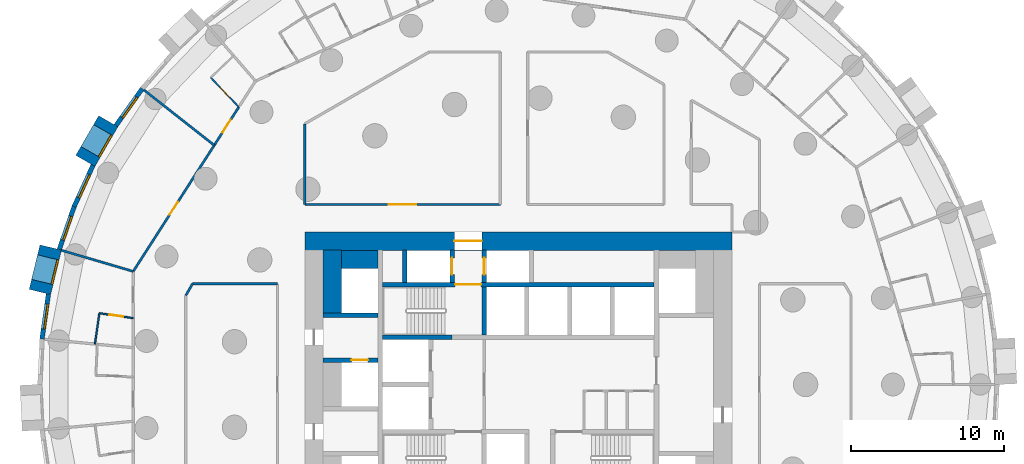
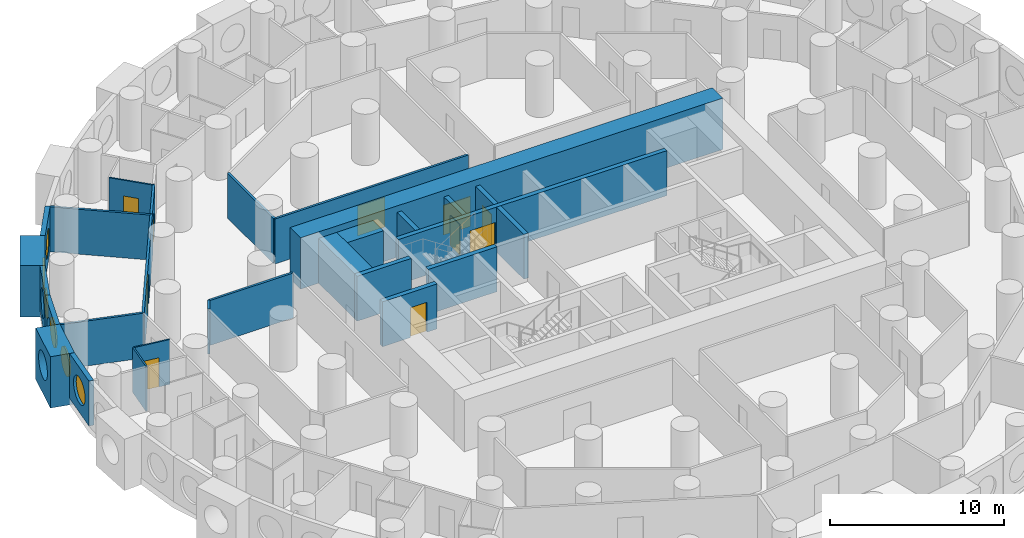
# One storey, part 7 of 12: 27 walls, 10 doors, 6 windows, 16 openings.
"""IFC4 building model written with IfcOpenShell, lengths in metres."""

from ifc_helpers import new_model, si_unit, direction, frame, frame_2d, origin, origin_2d, place, context, subcontext, project, spatial, rectangle, circle, extrude, material, layer, layer_set, type_object, element, fill, save


model = new_model("IFC4")

# Units and contexts
model_context = context("Model", 3, precision=1e-05, world=origin(), true_north=direction((0.0, 1.0)))
body_context = subcontext(model_context, "Body", "Model", "MODEL_VIEW")
ifc_project = project(units=[si_unit("LENGTHUNIT", "METRE"), si_unit("AREAUNIT", "SQUARE_METRE"), si_unit("VOLUMEUNIT", "CUBIC_METRE"), si_unit("PLANEANGLEUNIT", "RADIAN"), si_unit("MASSUNIT", "GRAM", prefix="KILO")], contexts=[model_context])

# Site, building, storey
site_placement = place(None, origin())
site = spatial("IfcSite", under=ifc_project, at=site_placement, CompositionType="ELEMENT")
building_placement = place(site_placement, origin())
building = spatial("IfcBuilding", under=site, at=building_placement, Name="Tracery Tower", CompositionType="ELEMENT")
storey_placement = place(building_placement, frame((0.0, 0.0, 31.800048828125)))
storey = spatial("IfcBuildingStorey", under=building, at=storey_placement, Name="L06", CompositionType="ELEMENT", Elevation=31.800048828125)

# Walls
ifc_material_1 = material(Name="Concrete C60/75", Category="concrete")
ifc_layer_1 = layer(ifc_material_1, 1.199951171875)
ifc_layer_set_1 = layer_set([ifc_layer_1], Name="Core strip wall 1200 C60")
wall_type_1 = type_object("IfcWallType", Name="Core strip wall 1200 C60", PredefinedType="SOLIDWALL", material=ifc_layer_set_1)
wall_1_placement = place(storey_placement, frame((-12.199951171875, 4.699951171875, 0.0), z_axis=(0.0, 0.0, 1.0), x_axis=(0.0, 1.0, 0.0)))
element("IfcWall", 1, at=wall_1_placement, inside=storey, type_object=wall_type_1, Name="L06 wing strip -1 4.55", PredefinedType="SOLIDWALL", context=body_context, shape_type="SweptSolid", body=[
    extrude(rectangle(XDim=4.10009765625, YDim=1.199951171875, at=frame_2d((2.050048828125, 0.0))), origin(), (0.0, 0.0, 1.0), 3.14990234375),
])
wall_2_placement = place(storey_placement, frame((-11.60009765625, 8.199951171875, 0.0), z_axis=(0.0, 0.0, 1.0), x_axis=(1.0, 0.0, 0.0)))
element("IfcWall", 2, at=wall_2_placement, inside=storey, type_object=wall_type_1, Name="L06 wing corner -1 +8.2", PredefinedType="SOLIDWALL", context=body_context, shape_type="SweptSolid", body=[
    extrude(rectangle(XDim=2.400146484375, YDim=1.199951171875, at=frame_2d((1.2001953125, 0.0))), origin(), (0.0, 0.0, 1.0), 3.14990234375),
])

# Wall, opening, door
ifc_material_2 = material(Name="Concrete C60/75", Category="concrete")
ifc_layer_2 = layer(ifc_material_2, 1.199951171875)
ifc_layer_set_2 = layer_set([ifc_layer_2], Name="Core wall 1200 C60")
wall_type_2 = type_object("IfcWallType", Name="Core wall 1200 C60", PredefinedType="SOLIDWALL", material=ifc_layer_set_2)
wall_3_placement = place(storey_placement, frame((-14.0, 9.39990234375, 0.0), z_axis=(0.0, 0.0, 1.0), x_axis=(1.0, 0.0, 0.0)))
wall_3 = element("IfcWall", 3, at=wall_3_placement, inside=storey, type_object=wall_type_2, Name="L06 outer N", PredefinedType="SOLIDWALL", context=body_context, shape_type="SweptSolid", body=[
    extrude(rectangle(XDim=28.0, YDim=1.199951171875, at=frame_2d((14.0, 0.0))), origin(), (0.0, 0.0, 1.0), 3.599853515625),
])
opening_1_placement = place(wall_3_placement, frame((9.800048828125, 0.0, 0.0)))
opening_1 = element("IfcOpeningElement", 4, at=opening_1_placement, cuts=wall_3, Name="Opening KD13", PredefinedType="OPENING", context=body_context, shape_type="SweptSolid", body=[
    extrude(rectangle(XDim=1.800048828125, YDim=2.10009765625, at=frame_2d((0.89990234375, 1.050048828125))), frame((0.0, 0.60009765625, 0.0), z_axis=(0.0, -1.0, 0.0), x_axis=(1.0, 0.0, 0.0)), (0.0, 0.0, 1.0), 1.199951171875),
])
ifc_material_3 = material(Name="Steel fire door", Category="steel")
door_type_1 = type_object("IfcDoorType", Name="Core exit door 1800 double", OperationType="NOTDEFINED", PredefinedType="DOOR", material=ifc_material_3)
door_1_placement = place(opening_1_placement, origin())
door_1 = element("IfcDoor", 5, at=door_1_placement, inside=storey, type_object=door_type_1, Name="Core exit door", OperationType="DOUBLE_DOOR_SINGLE_SWING", OverallHeight=2.10009765625, OverallWidth=1.800048828125, PredefinedType="DOOR", context=body_context, shape_type="SweptSolid", body=[
    extrude(rectangle(XDim=1.800048828125, YDim=2.10009765625, at=frame_2d((0.89990234375, 1.050048828125))), frame((0.0, 0.02490234375, 0.0), z_axis=(0.0, -1.0, 0.0), x_axis=(1.0, 0.0, 0.0)), (0.0, 0.0, 1.0), 0.050048828125),
])
fill(opening_1, door_1)

# Wall, opening, window
ifc_material_4 = material(Name="Precast concrete C50/60", Category="concrete")
ifc_layer_3 = layer(ifc_material_4, 1.449951171875)
ifc_layer_set_3 = layer_set([ifc_layer_3], Name="Deep-set bay unit 3000 x 3600, slab edge 450")
wall_type_3 = type_object("IfcWallType", Name="Deep-set bay unit 3000 x 3600, slab edge 450", PredefinedType="ELEMENTEDWALL", material=ifc_layer_set_3)
wall_4_placement = place(storey_placement, frame((-26.88818359375, 17.256103515625, -0.449951171875), z_axis=(0.0, 0.0, 1.0), x_axis=(-0.499990139034, -0.866031096941, 0.0)))
wall_4 = element("IfcWall", 6, at=wall_4_placement, inside=storey, type_object=wall_type_3, Name="Deep-set bay unit 28 at L06", PredefinedType="ELEMENTEDWALL", context=body_context, shape_type="SweptSolid", body=[
    extrude(rectangle(XDim=3.0, YDim=1.449951171875, at=frame_2d((1.5, 0.0))), origin(), (0.0, 0.0, 1.0), 3.599853515625),
])
opening_2_placement = place(wall_4_placement, frame((1.5, 0.0, 2.0)))
opening_2 = element("IfcOpeningElement", 7, at=opening_2_placement, cuts=wall_4, Name="Opening WN1", PredefinedType="OPENING", context=body_context, shape_type="SweptSolid", body=[
    extrude(circle(Radius=0.9000244140625, at=origin_2d()), frame((0.0, 0.73486328125, 0.0), z_axis=(0.0, -1.0, 0.0), x_axis=(1.0, 0.0, 0.0)), (0.0, 0.0, 1.0), 1.469970703125),
])
ifc_material_5 = material(Name="Aluminium frame with tinted double glazing", Category="aluminium")
window_type = type_object("IfcWindowType", Name="Round window 1800", PartitioningType="SINGLE_PANEL", PredefinedType="WINDOW", material=ifc_material_5)
window_1_placement = place(opening_2_placement, origin())
window_1 = element("IfcWindow", 8, at=window_1_placement, inside=storey, type_object=window_type, Name="Round window 28 at L06", OverallHeight=1.800048828125, OverallWidth=1.800048828125, PartitioningType="SINGLE_PANEL", PredefinedType="WINDOW", context=body_context, shape_type="SweptSolid", body=[
    extrude(circle(Radius=0.9000244140625, at=origin_2d()), frame((0.0, 0.69482421875, 0.0), z_axis=(0.0, -1.0, 0.0), x_axis=(1.0, 0.0, 0.0)), (0.0, 0.0, 1.0), 0.10009765625),
])
fill(opening_2, window_1)

wall_5_placement = place(storey_placement, frame((-30.66064453125, 8.981689453125, -0.449951171875), z_axis=(0.0, 0.0, 1.0), x_axis=(-0.235751415068, -0.971813392732, 0.0)))
wall_5 = element("IfcWall", 9, at=wall_5_placement, inside=storey, type_object=wall_type_3, Name="Deep-set bay unit 31 at L06", PredefinedType="ELEMENTEDWALL", context=body_context, shape_type="SweptSolid", body=[
    extrude(rectangle(XDim=3.0, YDim=1.449951171875, at=frame_2d((1.5, 0.0))), origin(), (0.0, 0.0, 1.0), 3.599853515625),
])
opening_3_placement = place(wall_5_placement, frame((1.5, 0.0, 2.0)))
opening_3 = element("IfcOpeningElement", 10, at=opening_3_placement, cuts=wall_5, Name="Opening WN1", PredefinedType="OPENING", context=body_context, shape_type="SweptSolid", body=[
    extrude(circle(Radius=0.9000244140625, at=origin_2d()), frame((0.0, 0.73486328125, 0.0), z_axis=(0.0, -1.0, 0.0), x_axis=(1.0, 0.0, 0.0)), (0.0, 0.0, 1.0), 1.469970703125),
])
window_2_placement = place(opening_3_placement, origin())
window_2 = element("IfcWindow", 11, at=window_2_placement, inside=storey, type_object=window_type, Name="Round window 31 at L06", OverallHeight=1.800048828125, OverallWidth=1.800048828125, PartitioningType="SINGLE_PANEL", PredefinedType="WINDOW", context=body_context, shape_type="SweptSolid", body=[
    extrude(circle(Radius=0.9000244140625, at=origin_2d()), frame((0.0, 0.69482421875, 0.0), z_axis=(0.0, -1.0, 0.0), x_axis=(1.0, 0.0, 0.0)), (0.0, 0.0, 1.0), 0.10009765625),
])
fill(opening_3, window_2)

ifc_material_6 = material(Name="Precast concrete C50/60", Category="concrete")
ifc_layer_4 = layer(ifc_material_6, 0.300048828125)
ifc_layer_set_4 = layer_set([ifc_layer_4], Name="Facade panel 3000 x 3150")
wall_type_4 = type_object("IfcWallType", Name="Facade panel 3000 x 3150", PredefinedType="SOLIDWALL", material=ifc_layer_set_4)
wall_6_placement = place(storey_placement, frame((-24.661865234375, 19.394287109375, 0.0), z_axis=(0.0, 0.0, 1.0), x_axis=(-0.580113774115, -0.814535456, 0.0)))
wall_6 = element("IfcWall", 12, at=wall_6_placement, inside=storey, type_object=wall_type_4, Name="Facade panel 27 at L06", PredefinedType="SOLIDWALL", context=body_context, shape_type="SweptSolid", body=[
    extrude(rectangle(XDim=2.979736328125, YDim=0.300048828125, at=frame_2d((1.48974609375, 0.0))), origin(), (0.0, 0.0, 1.0), 3.14990234375),
])
opening_4_placement = place(wall_6_placement, frame((1.48974609375, 0.0, 1.5498046875)))
opening_4 = element("IfcOpeningElement", 13, at=opening_4_placement, cuts=wall_6, Name="Opening WN1", PredefinedType="OPENING", context=body_context, shape_type="SweptSolid", body=[
    extrude(circle(Radius=0.9000244140625, at=origin_2d()), frame((0.0, 0.159912109375, 0.0), z_axis=(0.0, -1.0, 0.0), x_axis=(1.0, 0.0, 0.0)), (0.0, 0.0, 1.0), 0.320068359375),
])
window_3_placement = place(opening_4_placement, origin())
window_3 = element("IfcWindow", 14, at=window_3_placement, inside=storey, type_object=window_type, Name="Round window 27 at L06", OverallHeight=1.800048828125, OverallWidth=1.800048828125, PartitioningType="SINGLE_PANEL", PredefinedType="WINDOW", context=body_context, shape_type="SweptSolid", body=[
    extrude(circle(Radius=0.9000244140625, at=origin_2d()), frame((0.0, 0.1201171875, 0.0), z_axis=(0.0, -1.0, 0.0), x_axis=(1.0, 0.0, 0.0)), (0.0, 0.0, 1.0), 0.10009765625),
])
fill(opening_4, window_3)

wall_7_placement = place(storey_placement, frame((-27.88916015625, 14.37109375, 0.0), z_axis=(0.0, 0.0, 1.0), x_axis=(-0.415407317162, -0.909635509888, 0.0)))
wall_7 = element("IfcWall", 15, at=wall_7_placement, inside=storey, type_object=wall_type_4, Name="Facade panel 29 at L06", PredefinedType="SOLIDWALL", context=body_context, shape_type="SweptSolid", body=[
    extrude(rectangle(XDim=2.979736328125, YDim=0.300048828125, at=frame_2d((1.48974609375, 0.0))), origin(), (0.0, 0.0, 1.0), 3.14990234375),
])
opening_5_placement = place(wall_7_placement, frame((1.48974609375, 0.0, 1.5498046875)))
opening_5 = element("IfcOpeningElement", 16, at=opening_5_placement, cuts=wall_7, Name="Opening WN1", PredefinedType="OPENING", context=body_context, shape_type="SweptSolid", body=[
    extrude(circle(Radius=0.9000244140625, at=origin_2d()), frame((0.0, 0.159912109375, 0.0), z_axis=(0.0, -1.0, 0.0), x_axis=(1.0, 0.0, 0.0)), (0.0, 0.0, 1.0), 0.320068359375),
])
window_4_placement = place(opening_5_placement, origin())
window_4 = element("IfcWindow", 17, at=window_4_placement, inside=storey, type_object=window_type, Name="Round window 29 at L06", OverallHeight=1.800048828125, OverallWidth=1.800048828125, PartitioningType="SINGLE_PANEL", PredefinedType="WINDOW", context=body_context, shape_type="SweptSolid", body=[
    extrude(circle(Radius=0.9000244140625, at=origin_2d()), frame((0.0, 0.1201171875, 0.0), z_axis=(0.0, -1.0, 0.0), x_axis=(1.0, 0.0, 0.0)), (0.0, 0.0, 1.0), 0.10009765625),
])
fill(opening_5, window_4)

wall_8_placement = place(storey_placement, frame((-29.126953125, 11.66064453125, 0.0), z_axis=(0.0, 0.0, 1.0), x_axis=(-0.327096492592, -0.944990944154, 0.0)))
wall_8 = element("IfcWall", 18, at=wall_8_placement, inside=storey, type_object=wall_type_4, Name="Facade panel 30 at L06", PredefinedType="SOLIDWALL", context=body_context, shape_type="SweptSolid", body=[
    extrude(rectangle(XDim=2.9794921875, YDim=0.300048828125, at=frame_2d((1.48974609375, 0.0))), origin(), (0.0, 0.0, 1.0), 3.14990234375),
])
opening_6_placement = place(wall_8_placement, frame((1.48974609375, 0.0, 1.5498046875)))
opening_6 = element("IfcOpeningElement", 19, at=opening_6_placement, cuts=wall_8, Name="Opening WN1", PredefinedType="OPENING", context=body_context, shape_type="SweptSolid", body=[
    extrude(circle(Radius=0.9000244140625, at=origin_2d()), frame((0.0, 0.159912109375, 0.0), z_axis=(0.0, -1.0, 0.0), x_axis=(1.0, 0.0, 0.0)), (0.0, 0.0, 1.0), 0.320068359375),
])
window_5_placement = place(opening_6_placement, origin())
window_5 = element("IfcWindow", 20, at=window_5_placement, inside=storey, type_object=window_type, Name="Round window 30 at L06", OverallHeight=1.800048828125, OverallWidth=1.800048828125, PartitioningType="SINGLE_PANEL", PredefinedType="WINDOW", context=body_context, shape_type="SweptSolid", body=[
    extrude(circle(Radius=0.9000244140625, at=origin_2d()), frame((0.0, 0.1201171875, 0.0), z_axis=(0.0, -1.0, 0.0), x_axis=(1.0, 0.0, 0.0)), (0.0, 0.0, 1.0), 0.10009765625),
])
fill(opening_6, window_5)

wall_9_placement = place(storey_placement, frame((-30.808349609375, 5.931640625, 0.0), z_axis=(0.0, 0.0, 1.0), x_axis=(-0.142327539111, -0.989819615693, 0.0)))
wall_9 = element("IfcWall", 21, at=wall_9_placement, inside=storey, type_object=wall_type_4, Name="Facade panel 32 at L06", PredefinedType="SOLIDWALL", context=body_context, shape_type="SweptSolid", body=[
    extrude(rectangle(XDim=2.9794921875, YDim=0.300048828125, at=frame_2d((1.48974609375, 0.0))), origin(), (0.0, 0.0, 1.0), 3.14990234375),
])
opening_7_placement = place(wall_9_placement, frame((1.48974609375, 0.0, 1.5498046875)))
opening_7 = element("IfcOpeningElement", 22, at=opening_7_placement, cuts=wall_9, Name="Opening WN1", PredefinedType="OPENING", context=body_context, shape_type="SweptSolid", body=[
    extrude(circle(Radius=0.9000244140625, at=origin_2d()), frame((0.0, 0.159912109375, 0.0), z_axis=(0.0, -1.0, 0.0), x_axis=(1.0, 0.0, 0.0)), (0.0, 0.0, 1.0), 0.320068359375),
])
window_6_placement = place(opening_7_placement, origin())
window_6 = element("IfcWindow", 23, at=window_6_placement, inside=storey, type_object=window_type, Name="Round window 32 at L06", OverallHeight=1.800048828125, OverallWidth=1.800048828125, PartitioningType="SINGLE_PANEL", PredefinedType="WINDOW", context=body_context, shape_type="SweptSolid", body=[
    extrude(circle(Radius=0.9000244140625, at=origin_2d()), frame((0.0, 0.1201171875, 0.0), z_axis=(0.0, -1.0, 0.0), x_axis=(1.0, 0.0, 0.0)), (0.0, 0.0, 1.0), 0.10009765625),
])
fill(opening_7, window_6)

# Wall, opening, door
ifc_material_7 = material(Name="Plasterboard on steel studs", Category="steel")
ifc_layer_5 = layer(ifc_material_7, 0.10009765625)
ifc_layer_set_5 = layer_set([ifc_layer_5], Name="Partition 100 wet wall")
wall_type_5 = type_object("IfcWallType", Name="Partition 100 wet wall", PredefinedType="PARTITIONING", material=ifc_layer_set_5)
wall_10_placement = place(storey_placement, frame((-20.1689453125, 20.117919921875, 0.0), z_axis=(0.0, 0.0, 1.0), x_axis=(0.690011756227, -0.723798159896, 0.0)))
wall_10 = element("IfcWall", 24, at=wall_10_placement, inside=storey, type_object=wall_type_5, Name="Wet wall RA1-091", PredefinedType="PARTITIONING", context=body_context, shape_type="SweptSolid", body=[
    extrude(rectangle(XDim=2.66650390625, YDim=0.10009765625, at=frame_2d((1.333251953125, 0.0))), origin(), (0.0, 0.0, 1.0), 3.14990234375),
])
opening_8_placement = place(wall_10_placement, frame((0.883056640625, 0.0, 0.0)))
opening_8 = element("IfcOpeningElement", 25, at=opening_8_placement, cuts=wall_10, Name="Opening RA1-30", PredefinedType="OPENING", context=body_context, shape_type="SweptSolid", body=[
    extrude(rectangle(XDim=0.89990234375, YDim=2.0400390625, at=frame_2d((0.449951171875, 1.02001953125))), frame((0.0, 0.050048828125, 0.0), z_axis=(0.0, -1.0, 0.0), x_axis=(1.0, 0.0, 0.0)), (0.0, 0.0, 1.0), 0.10009765625),
])
ifc_material_8 = material(Name="Timber door leaf", Category="wood")
door_type_2 = type_object("IfcDoorType", Name="Door en-suite 900", OperationType="NOTDEFINED", PredefinedType="DOOR", material=ifc_material_8)
door_2_placement = place(opening_8_placement, origin())
door_2 = element("IfcDoor", 26, at=door_2_placement, inside=storey, type_object=door_type_2, Name="En-suite door RA1-30", OperationType="SINGLE_SWING_LEFT", OverallHeight=2.0400390625, OverallWidth=0.89990234375, PredefinedType="DOOR", context=body_context, shape_type="SweptSolid", body=[
    extrude(rectangle(XDim=0.89990234375, YDim=2.0400390625, at=frame_2d((0.449951171875, 1.02001953125))), frame((0.0, 0.02490234375, 0.0), z_axis=(0.0, -1.0, 0.0), x_axis=(1.0, 0.0, 0.0)), (0.0, 0.0, 1.0), 0.050048828125),
])
fill(opening_8, door_2)

wall_11_placement = place(storey_placement, frame((-27.471923828125, 4.6708984375, 0.0), z_axis=(0.0, 0.0, 1.0), x_axis=(0.989833725002, -0.142229381104, 0.0)))
wall_11 = element("IfcWall", 27, at=wall_11_placement, inside=storey, type_object=wall_type_5, Name="Wet wall RA1-094", PredefinedType="PARTITIONING", context=body_context, shape_type="SweptSolid", body=[
    extrude(rectangle(XDim=2.24169921875, YDim=0.10009765625, at=frame_2d((1.120849609375, 0.0))), origin(), (0.0, 0.0, 1.0), 3.14990234375),
])
opening_9_placement = place(wall_11_placement, frame((0.6708984375, 0.0, 0.0)))
opening_9 = element("IfcOpeningElement", 28, at=opening_9_placement, cuts=wall_11, Name="Opening RA1-33", PredefinedType="OPENING", context=body_context, shape_type="SweptSolid", body=[
    extrude(rectangle(XDim=0.89990234375, YDim=2.0400390625, at=frame_2d((0.449951171875, 1.02001953125))), frame((0.0, 0.050048828125, 0.0), z_axis=(0.0, -1.0, 0.0), x_axis=(1.0, 0.0, 0.0)), (0.0, 0.0, 1.0), 0.10009765625),
])
door_3_placement = place(opening_9_placement, origin())
door_3 = element("IfcDoor", 29, at=door_3_placement, inside=storey, type_object=door_type_2, Name="En-suite door RA1-33", OperationType="SINGLE_SWING_RIGHT", OverallHeight=2.0400390625, OverallWidth=0.89990234375, PredefinedType="DOOR", context=body_context, shape_type="SweptSolid", body=[
    extrude(rectangle(XDim=0.89990234375, YDim=2.0400390625, at=frame_2d((0.449951171875, 1.02001953125))), frame((0.0, 0.02490234375, 0.0), z_axis=(0.0, -1.0, 0.0), x_axis=(1.0, 0.0, 0.0)), (0.0, 0.0, 1.0), 0.050048828125),
])
fill(opening_9, door_3)

# Walls
wall_12_placement = place(storey_placement, frame((-27.761962890625, 2.65087890625, 0.0), z_axis=(0.0, 0.0, 1.0), x_axis=(0.142124766346, 0.989848751472, 0.0)))
element("IfcWall", 30, at=wall_12_placement, inside=storey, type_object=wall_type_5, Name="Wet wall RA1-095", PredefinedType="PARTITIONING", context=body_context, shape_type="SweptSolid", body=[
    extrude(rectangle(XDim=2.040771484375, YDim=0.10009765625, at=frame_2d((1.0205078125, 0.0))), origin(), (0.0, 0.0, 1.0), 3.14990234375),
])
ifc_material_9 = material(Name="Plasterboard on steel studs", Category="steel")
ifc_layer_6 = layer(ifc_material_9, 0.14990234375)
ifc_layer_set_6 = layer_set([ifc_layer_6], Name="Partition 150 acoustic unit wall")
wall_type_6 = type_object("IfcWallType", Name="Partition 150 acoustic unit wall", PredefinedType="PARTITIONING", material=ifc_layer_set_6)
wall_13_placement = place(storey_placement, frame((-24.5439453125, 19.302001953125, 0.0), z_axis=(0.0, 0.0, 1.0), x_axis=(0.786014513829, -0.618208042693, 0.0)))
element("IfcWall", 31, at=wall_13_placement, inside=storey, type_object=wall_type_6, Name="Unit wall RA1-092", PredefinedType="PARTITIONING", context=body_context, shape_type="SweptSolid", body=[
    extrude(rectangle(XDim=5.857421875, YDim=0.14990234375, at=frame_2d((2.9287109375, 0.0))), origin(), (0.0, 0.0, 1.0), 3.14990234375),
])
wall_14_placement = place(storey_placement, frame((-29.958984375, 8.797119140625, 0.0), z_axis=(0.0, 0.0, 1.0), x_axis=(0.959478767209, -0.281780934902, 0.0)))
element("IfcWall", 32, at=wall_14_placement, inside=storey, type_object=wall_type_6, Name="Unit wall RA1-093", PredefinedType="PARTITIONING", context=body_context, shape_type="SweptSolid", body=[
    extrude(rectangle(XDim=4.90478515625, YDim=0.14990234375, at=frame_2d((2.452392578125, 0.0))), origin(), (0.0, 0.0, 1.0), 3.14990234375),
])

# Wall, opening, door
ifc_material_10 = material(Name="Plasterboard on steel studs", Category="steel")
ifc_layer_7 = layer(ifc_material_10, 0.14990234375)
ifc_layer_set_7 = layer_set([ifc_layer_7], Name="Partition 150 corridor wall")
wall_type_7 = type_object("IfcWallType", Name="Partition 150 corridor wall", PredefinedType="PARTITIONING", material=ifc_layer_set_7)
wall_15_placement = place(storey_placement, frame((-14.00390625, 11.800048828125, 0.0), z_axis=(0.0, 0.0, 1.0), x_axis=(1.0, 0.0, 0.0)))
wall_15 = element("IfcWall", 33, at=wall_15_placement, inside=storey, type_object=wall_type_7, Name="Corridor wall RA1-001", PredefinedType="PARTITIONING", context=body_context, shape_type="SweptSolid", body=[
    extrude(rectangle(XDim=12.81591796875, YDim=0.14990234375, at=frame_2d((6.407958984375, 0.0))), origin(), (0.0, 0.0, 1.0), 3.14990234375),
])
opening_10_placement = place(wall_15_placement, frame((5.508056640625, 0.0, 0.0)))
opening_10 = element("IfcOpeningElement", 34, at=opening_10_placement, cuts=wall_15, Name="Opening RA1-01", PredefinedType="OPENING", context=body_context, shape_type="SweptSolid", body=[
    extrude(rectangle(XDim=1.800048828125, YDim=2.10009765625, at=frame_2d((0.89990234375, 1.050048828125))), frame((0.0, 0.074951171875, 0.0), z_axis=(0.0, -1.0, 0.0), x_axis=(1.0, 0.0, 0.0)), (0.0, 0.0, 1.0), 0.14990234375),
])
ifc_material_11 = material(Name="Timber door leaf", Category="wood")
door_type_3 = type_object("IfcDoorType", Name="Door double lounge 1800", OperationType="NOTDEFINED", PredefinedType="DOOR", material=ifc_material_11)
door_4_placement = place(opening_10_placement, origin())
door_4 = element("IfcDoor", 35, at=door_4_placement, inside=storey, type_object=door_type_3, Name="Double lounge door RA1-01", OperationType="DOUBLE_DOOR_SINGLE_SWING", OverallHeight=2.10009765625, OverallWidth=1.800048828125, PredefinedType="DOOR", context=body_context, shape_type="SweptSolid", body=[
    extrude(rectangle(XDim=1.800048828125, YDim=2.10009765625, at=frame_2d((0.89990234375, 1.050048828125))), frame((0.0, 0.02490234375, 0.0), z_axis=(0.0, -1.0, 0.0), x_axis=(1.0, 0.0, 0.0)), (0.0, 0.0, 1.0), 0.050048828125),
])
fill(opening_10, door_4)

# Walls
wall_16_placement = place(storey_placement, frame((-14.0, 11.800048828125, 0.0), z_axis=(0.0, 0.0, 1.0), x_axis=(0.0, 1.0, 0.0)))
element("IfcWall", 36, at=wall_16_placement, inside=storey, type_object=wall_type_7, Name="Corridor wall RA1-027", PredefinedType="PARTITIONING", context=body_context, shape_type="SweptSolid", body=[
    extrude(rectangle(XDim=5.2919921875, YDim=0.14990234375, at=frame_2d((2.64599609375, 0.0))), origin(), (0.0, 0.0, 1.0), 3.14990234375),
])
wall_17_placement = place(storey_placement, frame((-21.364013671875, 6.60009765625, 0.0), z_axis=(0.0, 0.0, 1.0), x_axis=(1.0, 0.0, 0.0)))
element("IfcWall", 37, at=wall_17_placement, inside=storey, type_object=wall_type_7, Name="Corridor wall RA1-038", PredefinedType="PARTITIONING", context=body_context, shape_type="SweptSolid", body=[
    extrude(rectangle(XDim=5.56396484375, YDim=0.14990234375, at=frame_2d((2.781982421875, 0.0))), origin(), (0.0, 0.0, 1.0), 3.14990234375),
])
wall_18_placement = place(storey_placement, frame((-21.802001953125, 5.842041015625, 0.0), z_axis=(0.0, 0.0, 1.0), x_axis=(0.500277597875, 0.865865073245, 0.0)))
element("IfcWall", 38, at=wall_18_placement, inside=storey, type_object=wall_type_7, Name="Corridor wall RA1-039", PredefinedType="PARTITIONING", context=body_context, shape_type="SweptSolid", body=[
    extrude(rectangle(XDim=0.87548828125, YDim=0.14990234375, at=frame_2d((0.437744140625, 0.0))), origin(), (0.0, 0.0, 1.0), 3.14990234375),
])

# Wall, openings, doors
wall_19_placement = place(storey_placement, frame((-25.2509765625, 7.413818359375, 0.0), z_axis=(0.0, 0.0, 1.0), x_axis=(0.540498462047, 0.84134500208, 0.0)))
wall_19 = element("IfcWall", 39, at=wall_19_placement, inside=storey, type_object=wall_type_7, Name="Corridor wall RA1-043", PredefinedType="PARTITIONING", context=body_context, shape_type="SweptSolid", body=[
    extrude(rectangle(XDim=12.810546875, YDim=0.14990234375, at=frame_2d((6.4052734375, 0.0))), origin(), (0.0, 0.0, 1.0), 3.14990234375),
])
opening_11_placement = place(wall_19_placement, frame((10.816650390625, 0.0, 0.0)))
opening_11 = element("IfcOpeningElement", 40, at=opening_11_placement, cuts=wall_19, Name="Opening RA1-31", PredefinedType="OPENING", context=body_context, shape_type="SweptSolid", body=[
    extrude(rectangle(XDim=1.0, YDim=2.10009765625, at=frame_2d((0.5, 1.050048828125))), frame((0.0, 0.074951171875, 0.0), z_axis=(0.0, -1.0, 0.0), x_axis=(1.0, 0.0, 0.0)), (0.0, 0.0, 1.0), 0.14990234375),
])
opening_12_placement = place(wall_19_placement, frame((4.4150390625, 0.0, 0.0)))
opening_12 = element("IfcOpeningElement", 41, at=opening_12_placement, cuts=wall_19, Name="Opening RA1-32", PredefinedType="OPENING", context=body_context, shape_type="SweptSolid", body=[
    extrude(rectangle(XDim=1.0, YDim=2.0400390625, at=frame_2d((0.5, 1.02001953125))), frame((0.0, 0.074951171875, 0.0), z_axis=(0.0, -1.0, 0.0), x_axis=(1.0, 0.0, 0.0)), (0.0, 0.0, 1.0), 0.14990234375),
])
ifc_material_12 = material(Name="Timber door leaf", Category="wood")
door_type_4 = type_object("IfcDoorType", Name="Door communal room 1000", OperationType="NOTDEFINED", PredefinedType="DOOR", material=ifc_material_12)
door_5_placement = place(opening_12_placement, origin())
door_5 = element("IfcDoor", 42, at=door_5_placement, inside=storey, type_object=door_type_4, Name="Communal room door RA1-32", OperationType="SINGLE_SWING_RIGHT", OverallHeight=2.0400390625, OverallWidth=1.0, PredefinedType="DOOR", context=body_context, shape_type="SweptSolid", body=[
    extrude(rectangle(XDim=1.0, YDim=2.0400390625, at=frame_2d((0.5, 1.02001953125))), frame((0.0, 0.02490234375, 0.0), z_axis=(0.0, -1.0, 0.0), x_axis=(1.0, 0.0, 0.0)), (0.0, 0.0, 1.0), 0.050048828125),
])
fill(opening_12, door_5)
ifc_material_13 = material(Name="Timber door leaf", Category="wood")
door_type_5 = type_object("IfcDoorType", Name="Door unit entrance 1000", OperationType="NOTDEFINED", PredefinedType="DOOR", material=ifc_material_13)
door_6_placement = place(opening_11_placement, origin())
door_6 = element("IfcDoor", 43, at=door_6_placement, inside=storey, type_object=door_type_5, Name="Unit entrance door RA1-31", OperationType="SINGLE_SWING_LEFT", OverallHeight=2.10009765625, OverallWidth=1.0, PredefinedType="DOOR", context=body_context, shape_type="SweptSolid", body=[
    extrude(rectangle(XDim=1.0, YDim=2.10009765625, at=frame_2d((0.5, 1.050048828125))), frame((0.0, 0.02490234375, 0.0), z_axis=(0.0, -1.0, 0.0), x_axis=(1.0, 0.0, 0.0)), (0.0, 0.0, 1.0), 0.050048828125),
])
fill(opening_11, door_6)

# Wall
ifc_material_14 = material(Name="Concrete C60/75", Category="concrete")
ifc_layer_8 = layer(ifc_material_14, 0.300048828125)
ifc_layer_set_8 = layer_set([ifc_layer_8], Name="Shaft wall 300 C60")
wall_type_8 = type_object("IfcWallType", Name="Shaft wall 300 C60", PredefinedType="SOLIDWALL", material=ifc_layer_set_8)
wall_20_placement = place(storey_placement, frame((-7.449951171875, 6.699951171875, 0.0), z_axis=(0.0, 0.0, 1.0), x_axis=(0.0, 1.0, 0.0)))
element("IfcWall", 44, at=wall_20_placement, inside=storey, type_object=wall_type_8, Name="L06 LR sep -7.45", PredefinedType="SOLIDWALL", context=body_context, shape_type="SweptSolid", body=[
    extrude(rectangle(XDim=2.10009765625, YDim=0.300048828125, at=frame_2d((1.050048828125, 0.0))), origin(), (0.0, 0.0, 1.0), 3.14990234375),
])

# Wall, opening, door
wall_21_placement = place(storey_placement, frame((-4.35009765625, 6.699951171875, 0.0), z_axis=(0.0, 0.0, 1.0), x_axis=(0.0, 1.0, 0.0)))
wall_21 = element("IfcWall", 45, at=wall_21_placement, inside=storey, type_object=wall_type_8, Name="L06 LR sep -4.35", PredefinedType="SOLIDWALL", context=body_context, shape_type="SweptSolid", body=[
    extrude(rectangle(XDim=2.10009765625, YDim=0.300048828125, at=frame_2d((1.050048828125, 0.0))), origin(), (0.0, 0.0, 1.0), 3.14990234375),
])
opening_13_placement = place(wall_21_placement, frame((0.5, 0.0, 0.0)))
opening_13 = element("IfcOpeningElement", 46, at=opening_13_placement, cuts=wall_21, Name="Opening KD50", PredefinedType="OPENING", context=body_context, shape_type="SweptSolid", body=[
    extrude(rectangle(XDim=1.10009765625, YDim=2.10009765625, at=frame_2d((0.550048828125, 1.050048828125))), frame((0.0, 0.14990234375, 0.0), z_axis=(0.0, -1.0, 0.0), x_axis=(1.0, 0.0, 0.0)), (0.0, 0.0, 1.0), 0.300048828125),
])
ifc_material_15 = material(Name="Steel fire door", Category="steel")
door_type_6 = type_object("IfcDoorType", Name="Landing door 1100", OperationType="NOTDEFINED", PredefinedType="DOOR", material=ifc_material_15)
door_7_placement = place(opening_13_placement, origin())
door_7 = element("IfcDoor", 47, at=door_7_placement, inside=storey, type_object=door_type_6, Name="Landing door LR3", OperationType="SLIDING_TO_RIGHT", OverallHeight=2.10009765625, OverallWidth=1.10009765625, PredefinedType="DOOR", context=body_context, shape_type="SweptSolid", body=[
    extrude(rectangle(XDim=1.10009765625, YDim=2.10009765625, at=frame_2d((0.550048828125, 1.050048828125))), frame((0.0, 0.02490234375, 0.0), z_axis=(0.0, -1.0, 0.0), x_axis=(1.0, 0.0, 0.0)), (0.0, 0.0, 1.0), 0.050048828125),
])
fill(opening_13, door_7)

# Wall
wall_22_placement = place(storey_placement, frame((-12.800048828125, 4.550048828125, 0.0), z_axis=(0.0, 0.0, 1.0), x_axis=(1.0, 0.0, 0.0)))
element("IfcWall", 48, at=wall_22_placement, inside=storey, type_object=wall_type_8, Name="L06 wing shaft wall -1 +4.55", PredefinedType="SOLIDWALL", context=body_context, shape_type="SweptSolid", body=[
    extrude(rectangle(XDim=3.60009765625, YDim=0.300048828125, at=frame_2d((1.800048828125, 0.0))), origin(), (0.0, 0.0, 1.0), 3.14990234375),
])

# Wall, opening, door
wall_23_placement = place(storey_placement, frame((-12.800048828125, 1.60009765625, 0.0), z_axis=(0.0, 0.0, 1.0), x_axis=(1.0, 0.0, 0.0)))
wall_23 = element("IfcWall", 49, at=wall_23_placement, inside=storey, type_object=wall_type_8, Name="L06 wing shaft wall -1 +1.60", PredefinedType="SOLIDWALL", context=body_context, shape_type="SweptSolid", body=[
    extrude(rectangle(XDim=3.60009765625, YDim=0.300048828125, at=frame_2d((1.800048828125, 0.0))), origin(), (0.0, 0.0, 1.0), 3.14990234375),
])
opening_14_placement = place(wall_23_placement, frame((1.85009765625, 0.0, 0.0)))
opening_14 = element("IfcOpeningElement", 50, at=opening_14_placement, cuts=wall_23, Name="Opening KD50", PredefinedType="OPENING", context=body_context, shape_type="SweptSolid", body=[
    extrude(rectangle(XDim=1.10009765625, YDim=2.10009765625, at=frame_2d((0.550048828125, 1.050048828125))), frame((0.0, 0.14990234375, 0.0), z_axis=(0.0, -1.0, 0.0), x_axis=(1.0, 0.0, 0.0)), (0.0, 0.0, 1.0), 0.300048828125),
])
door_8_placement = place(opening_14_placement, origin())
door_8 = element("IfcDoor", 51, at=door_8_placement, inside=storey, type_object=door_type_6, Name="Landing door LR1", OperationType="SLIDING_TO_RIGHT", OverallHeight=2.10009765625, OverallWidth=1.10009765625, PredefinedType="DOOR", context=body_context, shape_type="SweptSolid", body=[
    extrude(rectangle(XDim=1.10009765625, YDim=2.10009765625, at=frame_2d((0.550048828125, 1.050048828125))), frame((0.0, 0.02490234375, 0.0), z_axis=(0.0, -1.0, 0.0), x_axis=(1.0, 0.0, 0.0)), (0.0, 0.0, 1.0), 0.050048828125),
])
fill(opening_14, door_8)

# Walls
ifc_material_16 = material(Name="Concrete C60/75", Category="concrete")
ifc_layer_9 = layer(ifc_material_16, 0.300048828125)
ifc_layer_set_9 = layer_set([ifc_layer_9], Name="Stair wall 300 C60")
wall_type_9 = type_object("IfcWallType", Name="Stair wall 300 C60", PredefinedType="SOLIDWALL", material=ifc_layer_set_9)
wall_24_placement = place(storey_placement, frame((-8.89990234375, 3.10009765625, 0.0), z_axis=(0.0, 0.0, 1.0), x_axis=(1.0, 0.0, 0.0)))
element("IfcWall", 52, at=wall_24_placement, inside=storey, type_object=wall_type_9, Name="L06 row N W", PredefinedType="SOLIDWALL", context=body_context, shape_type="SweptSolid", body=[
    extrude(rectangle(XDim=4.5498046875, YDim=0.300048828125, at=frame_2d((2.27490234375, 0.0))), origin(), (0.0, 0.0, 1.0), 3.14990234375),
])
wall_25_placement = place(storey_placement, frame((-2.25, 3.25, 0.0), z_axis=(0.0, 0.0, 1.0), x_axis=(0.0, 1.0, 0.0)))
element("IfcWall", 53, at=wall_25_placement, inside=storey, type_object=wall_type_9, Name="L06 ST3 E", PredefinedType="SOLIDWALL", context=body_context, shape_type="SweptSolid", body=[
    extrude(rectangle(XDim=3.14990234375, YDim=0.300048828125, at=frame_2d((1.574951171875, 0.0))), origin(), (0.0, 0.0, 1.0), 3.14990234375),
])

# Wall, opening, door
wall_26_placement = place(storey_placement, frame((-8.89990234375, 6.550048828125, 0.0), z_axis=(0.0, 0.0, 1.0), x_axis=(1.0, 0.0, 0.0)))
wall_26 = element("IfcWall", 54, at=wall_26_placement, inside=storey, type_object=wall_type_9, Name="L06 F N", PredefinedType="SOLIDWALL", context=body_context, shape_type="SweptSolid", body=[
    extrude(rectangle(XDim=17.7998046875, YDim=0.300048828125, at=frame_2d((8.89990234375, 0.0))), origin(), (0.0, 0.0, 1.0), 3.14990234375),
])
opening_15_placement = place(wall_26_placement, frame((4.75, 0.0, 0.0)))
opening_15 = element("IfcOpeningElement", 55, at=opening_15_placement, cuts=wall_26, Name="Opening KD3", PredefinedType="OPENING", context=body_context, shape_type="SweptSolid", body=[
    extrude(rectangle(XDim=1.699951171875, YDim=2.10009765625, at=frame_2d((0.85009765625, 1.050048828125))), frame((0.0, 0.14990234375, 0.0), z_axis=(0.0, -1.0, 0.0), x_axis=(1.0, 0.0, 0.0)), (0.0, 0.0, 1.0), 0.300048828125),
])
ifc_material_17 = material(Name="Steel fire door", Category="steel")
door_type_7 = type_object("IfcDoorType", Name="Core stair door 1700 double", OperationType="NOTDEFINED", PredefinedType="DOOR", material=ifc_material_17)
door_9_placement = place(opening_15_placement, origin())
door_9 = element("IfcDoor", 56, at=door_9_placement, inside=storey, type_object=door_type_7, Name="Stair door ST3 N", OperationType="DOUBLE_DOOR_SINGLE_SWING", OverallHeight=2.10009765625, OverallWidth=1.699951171875, PredefinedType="DOOR", context=body_context, shape_type="SweptSolid", body=[
    extrude(rectangle(XDim=1.699951171875, YDim=2.10009765625, at=frame_2d((0.85009765625, 1.050048828125))), frame((0.0, 0.02490234375, 0.0), z_axis=(0.0, -1.0, 0.0), x_axis=(1.0, 0.0, 0.0)), (0.0, 0.0, 1.0), 0.050048828125),
])
fill(opening_15, door_9)

wall_27_placement = place(storey_placement, frame((-2.25, 6.699951171875, 0.0), z_axis=(0.0, 0.0, 1.0), x_axis=(0.0, 1.0, 0.0)))
wall_27 = element("IfcWall", 57, at=wall_27_placement, inside=storey, type_object=wall_type_9, Name="L06 ST3 E out", PredefinedType="SOLIDWALL", context=body_context, shape_type="SweptSolid", body=[
    extrude(rectangle(XDim=2.10009765625, YDim=0.300048828125, at=frame_2d((1.050048828125, 0.0))), origin(), (0.0, 0.0, 1.0), 3.14990234375),
])
opening_16_placement = place(wall_27_placement, frame((0.5, 0.0, 0.0)))
opening_16 = element("IfcOpeningElement", 58, at=opening_16_placement, cuts=wall_27, Name="Opening KD49", PredefinedType="OPENING", context=body_context, shape_type="SweptSolid", body=[
    extrude(rectangle(XDim=1.10009765625, YDim=2.10009765625, at=frame_2d((0.550048828125, 1.050048828125))), frame((0.0, 0.14990234375, 0.0), z_axis=(0.0, -1.0, 0.0), x_axis=(1.0, 0.0, 0.0)), (0.0, 0.0, 1.0), 0.300048828125),
])
door_10_placement = place(opening_16_placement, origin())
door_10 = element("IfcDoor", 59, at=door_10_placement, inside=storey, type_object=door_type_6, Name="Landing door LR2", OperationType="SLIDING_TO_LEFT", OverallHeight=2.10009765625, OverallWidth=1.10009765625, PredefinedType="DOOR", context=body_context, shape_type="SweptSolid", body=[
    extrude(rectangle(XDim=1.10009765625, YDim=2.10009765625, at=frame_2d((0.550048828125, 1.050048828125))), frame((0.0, 0.02490234375, 0.0), z_axis=(0.0, -1.0, 0.0), x_axis=(1.0, 0.0, 0.0)), (0.0, 0.0, 1.0), 0.050048828125),
])
fill(opening_16, door_10)

save(model, "model.ifc")
